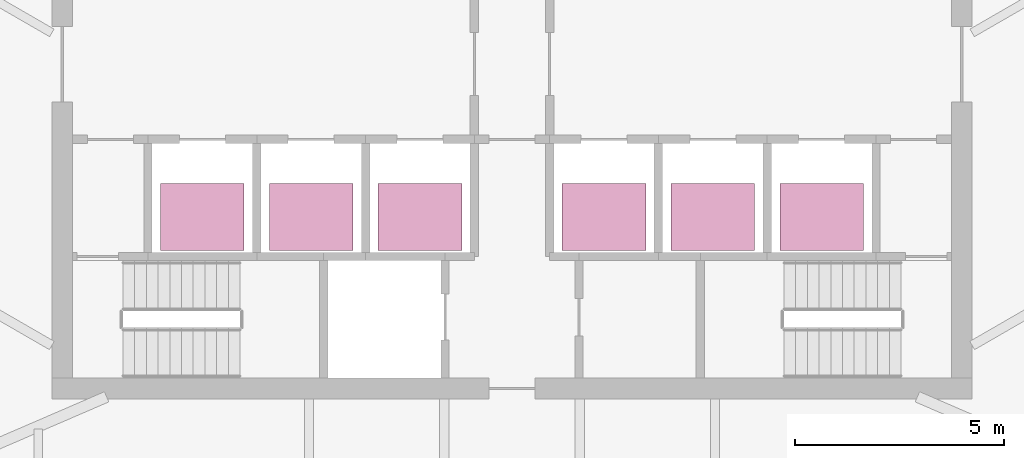
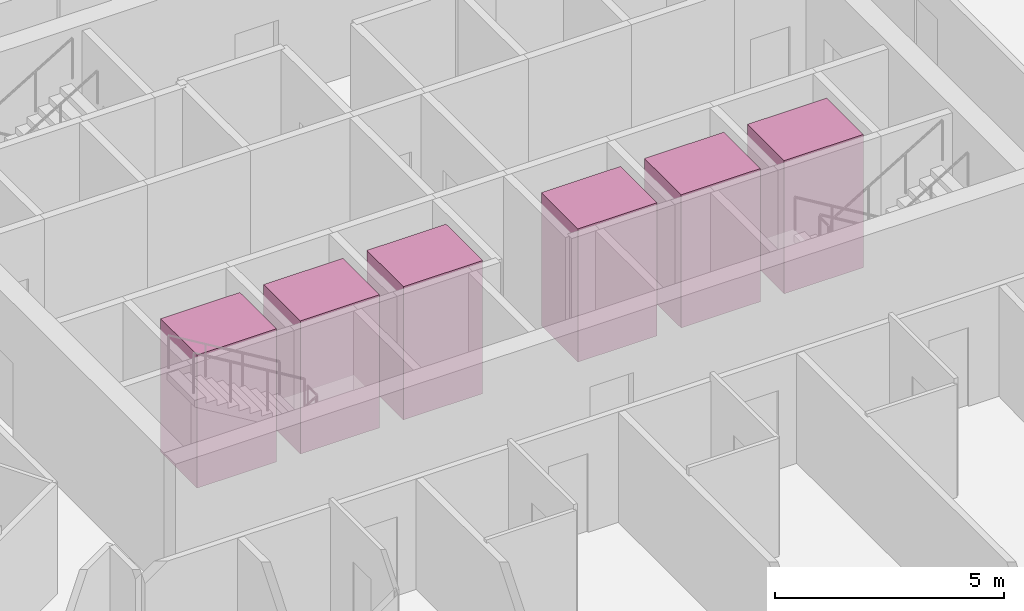
# One storey, part 17 of 17: 6 transport elements.
"""IFC4 building model written with IfcOpenShell, lengths in metres."""

from ifc_helpers import new_model, si_unit, direction, frame, origin, origin_2d, place, context, subcontext, project, spatial, rectangle, extrude, material, type_object, element, save


model = new_model("IFC4")

# Units and contexts
model_context = context("Model", 3, precision=1e-05, world=origin(), true_north=direction((0.0, 1.0)))
body_context = subcontext(model_context, "Body", "Model", "MODEL_VIEW")
ifc_project = project(units=[si_unit("LENGTHUNIT", "METRE"), si_unit("AREAUNIT", "SQUARE_METRE"), si_unit("VOLUMEUNIT", "CUBIC_METRE"), si_unit("PLANEANGLEUNIT", "RADIAN"), si_unit("MASSUNIT", "GRAM", prefix="KILO")], contexts=[model_context])

# Site, building, storey
site_placement = place(None, origin())
site = spatial("IfcSite", under=ifc_project, at=site_placement, CompositionType="ELEMENT")
building_placement = place(site_placement, origin())
building = spatial("IfcBuilding", under=site, at=building_placement, Name="Sierra Prisma Convention Tower", CompositionType="ELEMENT")
storey_placement = place(building_placement, frame((0.0, 0.0, 92.39990234375)))
storey = spatial("IfcBuildingStorey", under=building, at=storey_placement, Name="L19", CompositionType="ELEMENT", Elevation=92.39990234375)

# Transport elements
ifc_material = material(Name="Stainless steel", Category="steel")
transport_element_type = type_object("IfcTransportElementType", Name="Lift car hotel 2000x1600 1600 kg", PredefinedType="ELEVATOR", material=ifc_material)
for number, where, z_axis, x_axis, name in (
    (1, (-7.39990234375, -3.64990234375, 0.0), (0.0, 0.0, 1.0), (1.0, 0.0, 0.0), "Lift HT1"),
    (2, (-4.800048828125, -3.64990234375, 0.0), (0.0, 0.0, 1.0), (1.0, 0.0, 0.0), "Lift HT2"),
    (3, (-2.199951171875, -3.64990234375, 0.0), (0.0, 0.0, 1.0), (1.0, 0.0, 0.0), "Lift HT3"),
    (4, (2.199951171875, -3.64990234375, 0.0), (0.0, 0.0, 1.0), (1.0, 0.0, 0.0), "Lift HT4"),
    (5, (4.800048828125, -3.64990234375, 0.0), (0.0, 0.0, 1.0), (1.0, 0.0, 0.0), "Lift HT5"),
    (6, (7.39990234375, -3.64990234375, 0.0), (0.0, 0.0, 1.0), (1.0, 0.0, 0.0), "Lift HT6"),
):
    element("IfcTransportElement", number, at=place(storey_placement, frame(where, z_axis=z_axis, x_axis=x_axis)), inside=storey, type_object=transport_element_type, Name=name, PredefinedType="ELEVATOR", context=body_context, shape_type="SweptSolid", body=[
        extrude(rectangle(XDim=2.0, YDim=1.60009765625, at=origin_2d()), origin(), (0.0, 0.0, 1.0), 3.550048828125),
    ])

save(model, "model.ifc")
